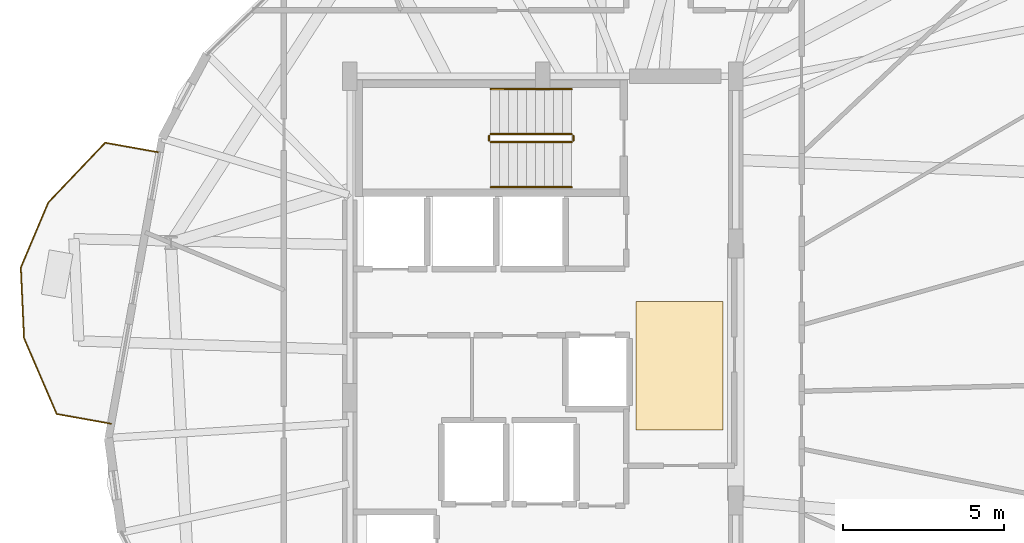
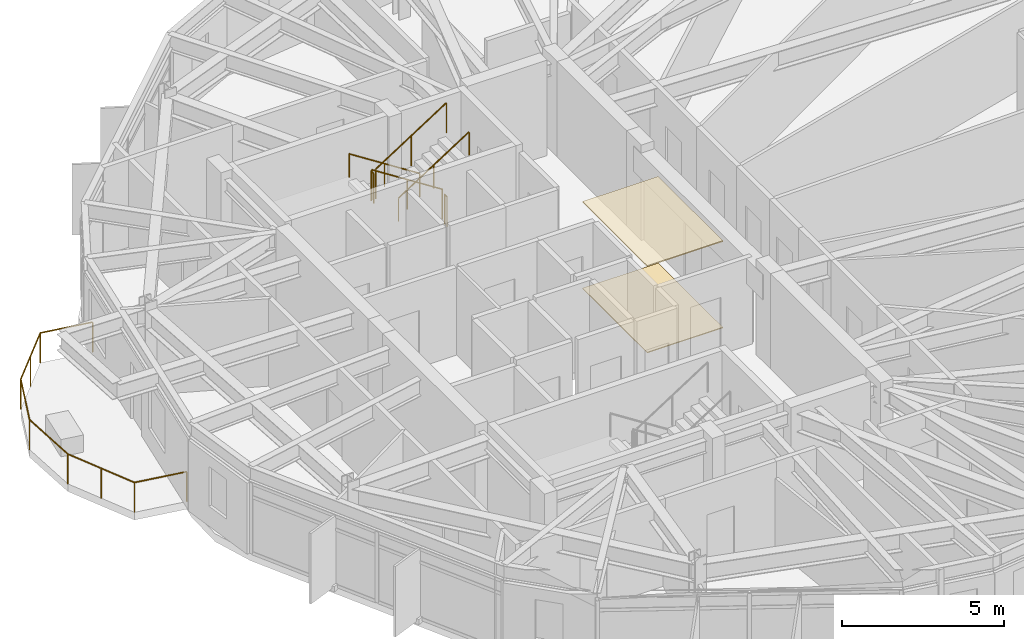
# One storey, part 25 of 26: 7 railings, 2 coverings.
"""IFC4 building model written with IfcOpenShell, lengths in metres."""

from ifc_helpers import new_model, si_unit, direction, frame, origin, origin_2d, place, context, subcontext, project, spatial, polyline, circle, outline, extrude, material, layer, layer_set, type_object, element, save


model = new_model("IFC4")

# Units and contexts
model_context = context("Model", 3, precision=1e-05, world=origin(), true_north=direction((0.0, 1.0)))
body_context = subcontext(model_context, "Body", "Model", "MODEL_VIEW")
ifc_project = project(units=[si_unit("LENGTHUNIT", "METRE"), si_unit("AREAUNIT", "SQUARE_METRE"), si_unit("VOLUMEUNIT", "CUBIC_METRE"), si_unit("PLANEANGLEUNIT", "RADIAN"), si_unit("MASSUNIT", "GRAM", prefix="KILO")], contexts=[model_context])

# Site, building, storey
site_placement = place(None, origin())
site = spatial("IfcSite", under=ifc_project, at=site_placement, CompositionType="ELEMENT")
building_placement = place(site_placement, origin())
building = spatial("IfcBuilding", under=site, at=building_placement, Name="Soratama Intermodal Tower", CompositionType="ELEMENT")
storey_placement = place(building_placement, frame((0.0, 0.0, 194.199951171875)))
storey = spatial("IfcBuildingStorey", under=building, at=storey_placement, Name="L48", CompositionType="ELEMENT", Elevation=194.199951171875)

# Coverings
ifc_material_1 = material(Name="Perforated mineral acoustic ceiling", Category="concrete")
ifc_layer_1 = layer(ifc_material_1, 0.0400390625)
ifc_layer_set_1 = layer_set([ifc_layer_1], Name="Perforated mineral acoustic ceiling")
covering_type_1 = type_object("IfcCoveringType", Name="CV-CEIL-ACOUSTIC", PredefinedType="CEILING", material=ifc_layer_set_1)
covering_1_placement = place(storey_placement, frame((0.0, 0.0, 3.260009765625)))
element("IfcCovering", 1, at=covering_1_placement, inside=storey, type_object=covering_type_1, Name="L48 Acoustic Ceiling", PredefinedType="CEILING", context=body_context, shape_type="SweptSolid", body=[
    extrude(outline(polyline([(41.5, 24.0), (44.199951171875, 24.0), (44.199951171875, 28.0), (41.5, 28.0), (41.5, 24.0)])), origin(), (0.0, 0.0, 1.0), 0.0400390625),
])
ifc_material_2 = material(Name="Polished Andean stone terrazzo flooring", Category="masonry")
ifc_layer_2 = layer(ifc_material_2, 0.030029296875)
ifc_layer_set_2 = layer_set([ifc_layer_2], Name="Polished Andean stone terrazzo flooring")
covering_type_2 = type_object("IfcCoveringType", Name="CV-FLOR-TERRAZZO", PredefinedType="FLOORING", material=ifc_layer_set_2)
covering_2_placement = place(storey_placement, origin())
element("IfcCovering", 2, at=covering_2_placement, inside=storey, type_object=covering_type_2, Name="L48 Lobby Terrazzo Flooring", PredefinedType="FLOORING", context=body_context, shape_type="SweptSolid", body=[
    extrude(outline(polyline([(41.5, 24.0), (44.199951171875, 24.0), (44.199951171875, 28.0), (41.5, 28.0), (41.5, 24.0)])), origin(), (0.0, 0.0, 1.0), 0.030029296875),
])

# Railings
ifc_material_3 = material(Name="Laminated glass and stainless steel balustrade", Category="steel")
railing_type_1 = type_object("IfcRailingType", Name="RL-BAL-1150", PredefinedType="BALUSTRADE", material=ifc_material_3)
railing_1_placement = place(storey_placement, frame((25.173583984375, 24.1923828125, 0.0)))
element("IfcRailing", 3, at=railing_1_placement, inside=storey, type_object=railing_type_1, Name="L48 Balcony Balustrade 3", PredefinedType="BALUSTRADE", context=body_context, shape_type="SweptSolid", body=[
    extrude(circle(Radius=0.02392578125, at=origin_2d()), frame((0.0, 0.0, 1.1259765625), z_axis=(-0.9843880728, 0.176011710205, 0.0), x_axis=(-0.176011710205, -0.9843880728, 0.0)), (0.0, 0.0, 1.0), 1.719970703125),
    extrude(circle(Radius=0.02392578125, at=origin_2d()), frame((-1.693115234375, 0.302734375, 1.1259765625), z_axis=(-0.395605389727, 0.918420587541, 0.0), x_axis=(-0.918420587541, -0.395605389727, 0.0)), (0.0, 0.0, 1.0), 2.56787109375),
    extrude(circle(Radius=0.02392578125, at=origin_2d()), frame((-2.708984375, 2.6611328125, 1.1259765625), z_axis=(-0.045558874162, 0.998961655413, 0.0), x_axis=(-0.998961655413, -0.045558874162, 0.0)), (0.0, 0.0, 1.0), 2.197021484375),
    extrude(circle(Radius=0.02392578125, at=origin_2d()), frame((-2.80908203125, 4.85595703125, 1.1259765625), z_axis=(0.388951078014, 0.921258410497, 0.0), x_axis=(-0.921258410497, 0.388951078014, 0.0)), (0.0, 0.0, 1.0), 2.197021484375),
    extrude(circle(Radius=0.02392578125, at=origin_2d()), frame((-1.95458984375, 6.8798828125, 1.1259765625), z_axis=(0.689396354238, 0.724384336359, 0.0), x_axis=(-0.724384336359, 0.689396354238, 0.0)), (0.0, 0.0, 1.0), 2.56787109375),
    extrude(circle(Radius=0.02392578125, at=origin_2d()), frame((-0.184326171875, 8.739990234375, 1.1259765625), z_axis=(0.98439246935, -0.175987119665, 0.0), x_axis=(0.175987119665, 0.98439246935, 0.0)), (0.0, 0.0, 1.0), 1.72021484375),
    extrude(circle(Radius=0.02099609375, at=origin_2d()), origin(), (0.0, 0.0, 1.0), 1.101806640625),
    extrude(circle(Radius=0.02099609375, at=origin_2d()), frame((-1.693115234375, 0.302734375, 0.0)), (0.0, 0.0, 1.0), 1.101806640625),
    extrude(circle(Radius=0.02099609375, at=origin_2d()), frame((-2.201171875, 1.48193359375, 0.0)), (0.0, 0.0, 1.0), 1.101806640625),
    extrude(circle(Radius=0.02099609375, at=origin_2d()), frame((-2.708984375, 2.6611328125, 0.0)), (0.0, 0.0, 1.0), 1.101806640625),
    extrude(circle(Radius=0.02099609375, at=origin_2d()), frame((-2.80908203125, 4.85595703125, 0.0)), (0.0, 0.0, 1.0), 1.101806640625),
    extrude(circle(Radius=0.02099609375, at=origin_2d()), frame((-1.95458984375, 6.8798828125, 0.0)), (0.0, 0.0, 1.0), 1.101806640625),
    extrude(circle(Radius=0.02099609375, at=origin_2d()), frame((-1.0693359375, 7.81005859375, 0.0)), (0.0, 0.0, 1.0), 1.101806640625),
    extrude(circle(Radius=0.02099609375, at=origin_2d()), frame((-0.184326171875, 8.739990234375, 0.0)), (0.0, 0.0, 1.0), 1.101806640625),
    extrude(circle(Radius=0.02099609375, at=origin_2d()), frame((1.509033203125, 8.437255859375, 0.0)), (0.0, 0.0, 1.0), 1.101806640625),
])
ifc_material_4 = material(Name="Painted steel stair guardrail", Category="steel")
railing_type_2 = type_object("IfcRailingType", Name="RL-STAIR-GUARD", PredefinedType="GUARDRAIL", material=ifc_material_4)
railing_2_placement = place(storey_placement, frame((39.5, 33.199951171875, 0.179931640625)))
element("IfcRailing", 4, at=railing_2_placement, inside=storey, type_object=railing_type_2, Name="L48 ST-2 stair guard 1", PredefinedType="GUARDRAIL", context=body_context, shape_type="SweptSolid", body=[
    extrude(circle(Radius=0.02392578125, at=origin_2d()), frame((0.0, 0.0, 1.1259765625), z_axis=(-0.841162588446, 0.0, 0.540782303519), x_axis=(0.0, -1.0, 0.0)), (0.0, 0.0, 1.0), 2.995849609375),
    extrude(circle(Radius=0.02099609375, at=origin_2d()), origin(), (0.0, 0.0, 1.0), 1.101806640625),
    extrude(circle(Radius=0.02099609375, at=origin_2d()), frame((-1.260009765625, 0.0, 0.81005859375)), (0.0, 0.0, 1.0), 1.101806640625),
    extrude(circle(Radius=0.02099609375, at=origin_2d()), frame((-2.52001953125, 0.0, 1.6201171875)), (0.0, 0.0, 1.0), 1.101806640625),
])
railing_3_placement = place(storey_placement, frame((36.929931640625, 33.14990234375, 1.800048828125)))
element("IfcRailing", 5, at=railing_3_placement, inside=storey, type_object=railing_type_2, Name="L48 ST-2 stair guard 2", PredefinedType="GUARDRAIL", context=body_context, shape_type="SweptSolid", body=[
    extrude(circle(Radius=0.02392578125, at=origin_2d()), frame((0.0, 0.0, 1.1259765625), z_axis=(0.0, -1.0, 0.0), x_axis=(1.0, 0.0, 0.0)), (0.0, 0.0, 1.0), 0.14990234375),
    extrude(circle(Radius=0.02099609375, at=origin_2d()), origin(), (0.0, 0.0, 1.0), 1.101806640625),
    extrude(circle(Radius=0.02099609375, at=origin_2d()), frame((0.0, -0.14990234375, 0.0)), (0.0, 0.0, 1.0), 1.101806640625),
])
railing_4_placement = place(storey_placement, frame((36.97998046875, 32.949951171875, 1.97998046875)))
element("IfcRailing", 6, at=railing_4_placement, inside=storey, type_object=railing_type_2, Name="L48 ST-2 stair guard 3", PredefinedType="GUARDRAIL", context=body_context, shape_type="SweptSolid", body=[
    extrude(circle(Radius=0.02392578125, at=origin_2d()), frame((0.0, 0.0, 1.1259765625), z_axis=(0.841162588446, 0.0, 0.540782303519), x_axis=(0.0, 1.0, 0.0)), (0.0, 0.0, 1.0), 2.995849609375),
    extrude(circle(Radius=0.02099609375, at=origin_2d()), origin(), (0.0, 0.0, 1.0), 1.101806640625),
    extrude(circle(Radius=0.02099609375, at=origin_2d()), frame((1.260009765625, 0.0, 0.81005859375)), (0.0, 0.0, 1.0), 1.101806640625),
    extrude(circle(Radius=0.02099609375, at=origin_2d()), frame((2.52001953125, 0.0, 1.6201171875)), (0.0, 0.0, 1.0), 1.101806640625),
])
railing_5_placement = place(storey_placement, frame((39.550048828125, 33.14990234375, 0.0)))
element("IfcRailing", 7, at=railing_5_placement, inside=storey, type_object=railing_type_2, Name="L48 ST-2 stair guard 4", PredefinedType="GUARDRAIL", context=body_context, shape_type="SweptSolid", body=[
    extrude(circle(Radius=0.02392578125, at=origin_2d()), frame((0.0, 0.0, 1.1259765625), z_axis=(0.0, -1.0, 0.0), x_axis=(1.0, 0.0, 0.0)), (0.0, 0.0, 1.0), 0.14990234375),
    extrude(circle(Radius=0.02099609375, at=origin_2d()), origin(), (0.0, 0.0, 1.0), 1.101806640625),
    extrude(circle(Radius=0.02099609375, at=origin_2d()), frame((0.0, -0.14990234375, 0.0)), (0.0, 0.0, 1.0), 1.101806640625),
])
ifc_material_5 = material(Name="Brushed stainless steel handrail", Category="steel")
railing_type_3 = type_object("IfcRailingType", Name="RL-STAIR-HAND", PredefinedType="HANDRAIL", material=ifc_material_5)
railing_6_placement = place(storey_placement, frame((39.5, 34.60009765625, 0.179931640625)))
element("IfcRailing", 8, at=railing_6_placement, inside=storey, type_object=railing_type_3, Name="L48 ST-2 stair handrail 1", PredefinedType="HANDRAIL", context=body_context, shape_type="SweptSolid", body=[
    extrude(circle(Radius=0.02392578125, at=origin_2d()), frame((0.0, 0.0, 0.8759765625), z_axis=(-0.841162588446, 0.0, 0.540782303519), x_axis=(0.0, -1.0, 0.0)), (0.0, 0.0, 1.0), 2.995849609375),
    extrude(circle(Radius=0.02099609375, at=origin_2d()), origin(), (0.0, 0.0, 1.0), 0.851806640625),
    extrude(circle(Radius=0.02099609375, at=origin_2d()), frame((-1.260009765625, 0.0, 0.81005859375)), (0.0, 0.0, 1.0), 0.851806640625),
    extrude(circle(Radius=0.02099609375, at=origin_2d()), frame((-2.52001953125, 0.0, 1.6201171875)), (0.0, 0.0, 1.0), 0.851806640625),
])
railing_7_placement = place(storey_placement, frame((36.97998046875, 31.550048828125, 1.97998046875)))
element("IfcRailing", 9, at=railing_7_placement, inside=storey, type_object=railing_type_3, Name="L48 ST-2 stair handrail 2", PredefinedType="HANDRAIL", context=body_context, shape_type="SweptSolid", body=[
    extrude(circle(Radius=0.02392578125, at=origin_2d()), frame((0.0, 0.0, 0.8759765625), z_axis=(0.841162588446, 0.0, 0.540782303519), x_axis=(0.0, 1.0, 0.0)), (0.0, 0.0, 1.0), 2.995849609375),
    extrude(circle(Radius=0.02099609375, at=origin_2d()), origin(), (0.0, 0.0, 1.0), 0.851806640625),
    extrude(circle(Radius=0.02099609375, at=origin_2d()), frame((1.260009765625, 0.0, 0.81005859375)), (0.0, 0.0, 1.0), 0.851806640625),
    extrude(circle(Radius=0.02099609375, at=origin_2d()), frame((2.52001953125, 0.0, 1.6201171875)), (0.0, 0.0, 1.0), 0.851806640625),
])

save(model, "model.ifc")
